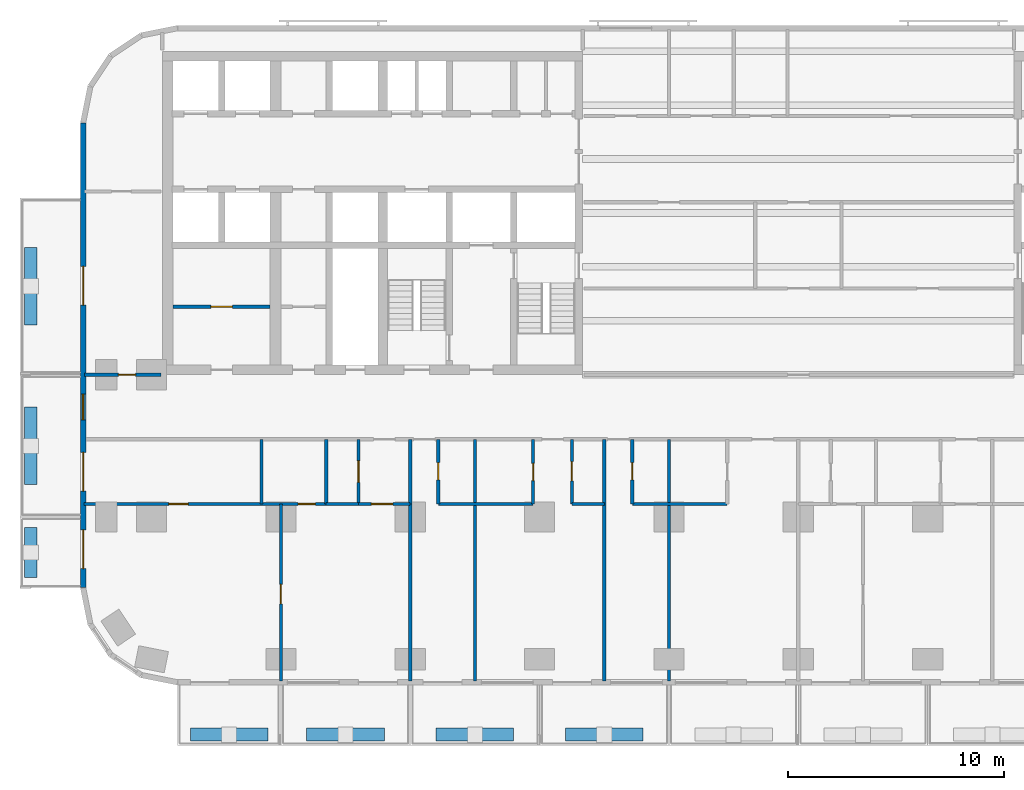
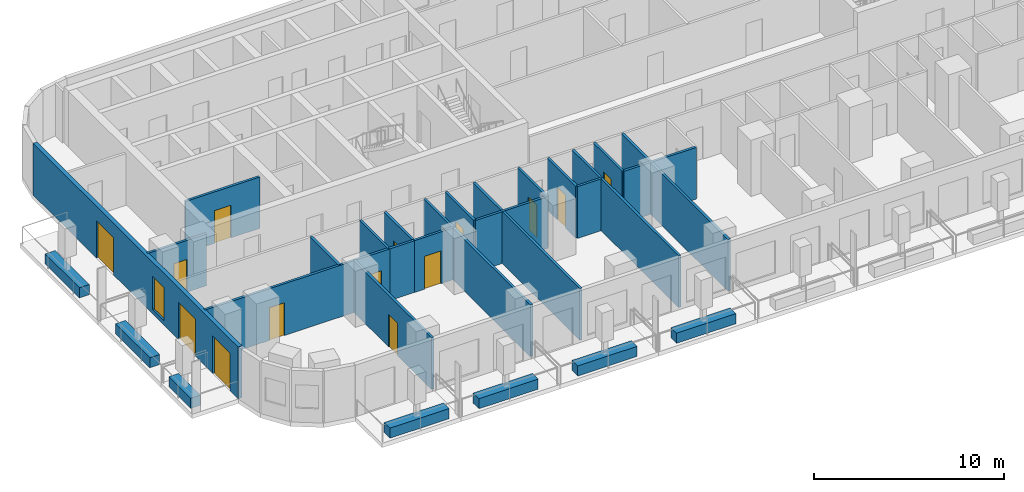
# One storey, part 2 of 15: 29 walls, 14 doors, 1 window, 15 openings.
"""IFC4 building model written with IfcOpenShell, lengths in metres."""

import ifcopenshell
import ifcopenshell.guid

model = None  # the IFC model being written
_history = None  # IfcOwnerHistory: only IFC2X3 demands one
_inside = {}  # id of a spatial element -> (the spatial element, [elements in it])
_under = {}  # id of a project, library or spatial element -> (it, [spatial elements below it])
_declared = {}  # id of a project -> (the project, [libraries it declares])
_typed = {}  # id of a type object -> (the type object, [elements of that type])
_made_of = {}  # id of a material, layer set ... -> (it, [elements and type objects made of it])


def new_model(schema):
    """Start an empty IFC model of exactly this schema.

    Asked for "IFC4X3", IfcOpenShell would pick the latest addendum, in which some entities
    have other attributes; the version numbers below select the first issue.
    IFC2X3 requires an IfcOwnerHistory on every rooted entity: one is made here for all.
    """
    global model, _history
    if schema == "IFC4X3":
        model = ifcopenshell.file(schema_version=(4, 3, 0, 0))
    else:
        model = ifcopenshell.file(schema=schema)
    _inside.clear()
    _under.clear()
    _declared.clear()
    _typed.clear()
    _made_of.clear()
    _history = None
    if model.schema == "IFC2X3":
        org = make("IfcOrganization", Name="unknown")
        user = make(
            "IfcPersonAndOrganization",
            ThePerson=make("IfcPerson", FamilyName="unknown"),
            TheOrganization=org,
        )
        app = make(
            "IfcApplication",
            ApplicationDeveloper=org,
            Version="unknown",
            ApplicationFullName="unknown",
            ApplicationIdentifier="unknown",
        )
        _history = make(
            "IfcOwnerHistory",
            OwningUser=user,
            OwningApplication=app,
            ChangeAction="ADDED",
            CreationDate=0,
        )
    return model


def make(cls, **values):
    """One entity of the class cls with the attributes given. An attribute that is None is left unset."""
    return model.create_entity(
        cls, **{name: value for name, value in values.items() if value is not None}
    )


def rooted(cls, **values):
    """An entity with a GlobalId (a new one), such as an element, a storey or a relation."""
    return make(cls, GlobalId=ifcopenshell.guid.new(), OwnerHistory=_history, **values)


def si_unit(unit_type, name, prefix=None):
    """IfcSIUnit, for example si_unit("LENGTHUNIT", "METRE", prefix="MILLI")."""
    return make("IfcSIUnit", UnitType=unit_type, Prefix=prefix, Name=name)


def assignment(units):
    """IfcUnitAssignment: the units of a project."""
    return None if units is None else make("IfcUnitAssignment", Units=units)


def point(xyz):
    """IfcCartesianPoint."""
    return None if xyz is None else make("IfcCartesianPoint", Coordinates=xyz)


def direction(xyz):
    """IfcDirection."""
    return None if xyz is None else make("IfcDirection", DirectionRatios=xyz)


def frame(location, z_axis=None, x_axis=None):
    """IfcAxis2Placement3D, a coordinate frame: its origin and axes. An axis left out is left unset."""
    return make(
        "IfcAxis2Placement3D",
        Location=point(location),
        Axis=direction(z_axis),
        RefDirection=direction(x_axis),
    )


def frame_2d(location, x_axis=None):
    """IfcAxis2Placement2D, a coordinate frame in the plane: its origin and x axis."""
    return make(
        "IfcAxis2Placement2D", Location=point(location), RefDirection=direction(x_axis)
    )


def origin():
    """The frame at (0, 0, 0) with its axes left unset."""
    return frame((0.0, 0.0, 0.0))


def place(relative_to, where):
    """IfcLocalPlacement: puts the frame where relative to a parent placement (None: the world)."""
    return make(
        "IfcLocalPlacement", PlacementRelTo=relative_to, RelativePlacement=where
    )


def context(
    kind, dimensions, precision=None, world=None, true_north=None, identifier=None
):
    """IfcGeometricRepresentationContext, for example the 3D "Model" context."""
    return make(
        "IfcGeometricRepresentationContext",
        ContextIdentifier=identifier,
        ContextType=kind,
        CoordinateSpaceDimension=dimensions,
        Precision=precision,
        WorldCoordinateSystem=world,
        TrueNorth=true_north,
    )


def subcontext(parent, identifier, kind, view, scale=None):
    """IfcGeometricRepresentationSubContext, for example "Body" below "Model"."""
    return make(
        "IfcGeometricRepresentationSubContext",
        ContextIdentifier=identifier,
        ContextType=kind,
        ParentContext=parent,
        TargetScale=scale,
        TargetView=view,
    )


def project(units=None, contexts=None):
    """IfcProject with its units and contexts."""
    return rooted(
        "IfcProject",
        Name="project",
        RepresentationContexts=contexts,
        UnitsInContext=assignment(units),
    )


def spatial(cls, under=None, at=None, **own):
    """A site, building, storey or space (cls), placed at a placement, below another one or the project."""
    s = rooted(cls, ObjectPlacement=at, **own)
    if under is not None:
        _under.setdefault(under.id(), (under, []))[1].append(s)
    return s


def profile(cls, at=None, kind="AREA", **sizes):
    """A parametric profile (cls). Its sizes go by their IFC names, for example OverallWidth=200.0."""
    return make(cls, ProfileType=kind, Position=at, **sizes)


def rectangle(**sizes):
    """IfcRectangleProfileDef."""
    return profile("IfcRectangleProfileDef", **sizes)


def extrude(swept, where, along, depth):
    """IfcExtrudedAreaSolid: the profile swept, set in the frame where, extruded along a direction by depth."""
    return make(
        "IfcExtrudedAreaSolid",
        SweptArea=swept,
        Position=where,
        ExtrudedDirection=direction(along),
        Depth=depth,
    )


def shape(context_of_items, identifier, shape_type, items):
    """IfcShapeRepresentation: the items that make up one representation, for example the "Body"."""
    return make(
        "IfcShapeRepresentation",
        ContextOfItems=context_of_items,
        RepresentationIdentifier=identifier,
        RepresentationType=shape_type,
        Items=items,
    )


def material(Name=None, Category=None):
    """IfcMaterial."""
    return make("IfcMaterial", Name=Name, Category=Category)


def layer(
    of_material, thickness, ventilated=None, Name=None, Category=None, Priority=None
):
    """IfcMaterialLayer: one layer of a wall or slab, of a material (None: an air gap)."""
    return make(
        "IfcMaterialLayer",
        Material=of_material,
        LayerThickness=thickness,
        IsVentilated=ventilated,
        Name=Name,
        Category=Category,
        Priority=Priority,
    )


def layer_set(layers, Name=None):
    """IfcMaterialLayerSet."""
    return make("IfcMaterialLayerSet", MaterialLayers=layers, LayerSetName=Name)


def made_of(thing, what):
    """Note that an element or type object is made of a material, layer set ...; save() writes the relation."""
    if what is not None:
        _made_of.setdefault(what.id(), (what, []))[1].append(thing)
    return thing


def type_object(cls, material=None, **own):
    """A type object (cls), such as IfcWallType, which elements share."""
    return made_of(rooted(cls, **own), material)


def element(
    cls,
    number,
    at=None,
    inside=None,
    cuts=None,
    type_object=None,
    material=None,
    context=None,
    identifier="Body",
    shape_type=None,
    held_by="IfcProductDefinitionShape",
    body=None,
    shapes=None,
    **own,
):
    """One element of the class cls, such as IfcWall. Its Tag is "e" and its number.

    at: its placement. inside: the storey or other place that contains it. cuts: it is an
    opening in that element (IfcRelVoidsElement). A single representation is given by context,
    identifier, shape_type and body (its items); several are given by shapes. held_by: the class
    of the entity that holds the representations. save() writes the other relations.
    """
    e = rooted(cls, Tag="e%d" % number, ObjectPlacement=at, **own)
    if body is not None:
        shapes = [shape(context, identifier, shape_type, body)]
    if shapes is not None:
        e.Representation = make(held_by, Representations=shapes)
    if inside is not None:
        _inside.setdefault(inside.id(), (inside, []))[1].append(e)
    if cuts is not None:
        rooted(
            "IfcRelVoidsElement", RelatingBuildingElement=cuts, RelatedOpeningElement=e
        )
    if type_object is not None:
        _typed.setdefault(type_object.id(), (type_object, []))[1].append(e)
    return made_of(e, material)


def fill(opening, filler):
    """IfcRelFillsElement: the door or window that sits in an opening."""
    return rooted(
        "IfcRelFillsElement",
        RelatingOpeningElement=opening,
        RelatedBuildingElement=filler,
    )


def aggregate(whole, parts):
    """IfcRelAggregates: a whole, such as a stair, and the parts it consists of."""
    return rooted("IfcRelAggregates", RelatingObject=whole, RelatedObjects=parts)


def save(model, path):
    """Write the relations noted so far, then the file.

    IfcRelAggregates (storeys below a building ...), IfcRelContainedInSpatialStructure (elements
    in a storey), IfcRelDefinesByType, IfcRelAssociatesMaterial and IfcRelDeclares: one each for
    every whole, place, type object, material and project.
    """
    for whole, parts in _under.values():
        aggregate(whole, parts)
    for where, things in _inside.values():
        rooted(
            "IfcRelContainedInSpatialStructure",
            RelatedElements=things,
            RelatingStructure=where,
        )
    for kind, things in _typed.values():
        rooted("IfcRelDefinesByType", RelatedObjects=things, RelatingType=kind)
    for what, things in _made_of.values():
        rooted("IfcRelAssociatesMaterial", RelatedObjects=things, RelatingMaterial=what)
    for by, libraries in _declared.values():
        rooted("IfcRelDeclares", RelatingContext=by, RelatedDefinitions=libraries)
    model.write(path)


model = new_model("IFC4")

# Units and contexts
model_context = context("Model", 3, precision=1e-05, world=origin(), true_north=direction((0.0, 1.0)))
body_context = subcontext(model_context, "Body", "Model", "MODEL_VIEW")
ifc_project = project(units=[si_unit("LENGTHUNIT", "METRE"), si_unit("AREAUNIT", "SQUARE_METRE"), si_unit("VOLUMEUNIT", "CUBIC_METRE"), si_unit("PLANEANGLEUNIT", "RADIAN"), si_unit("MASSUNIT", "GRAM", prefix="KILO")], contexts=[model_context])

# Site, building, storey
site_placement = place(None, origin())
site = spatial("IfcSite", under=ifc_project, at=site_placement, CompositionType="ELEMENT")
building_placement = place(site_placement, origin())
building = spatial("IfcBuilding", under=site, at=building_placement, Name="Torana Hotel and Residences", CompositionType="ELEMENT")
storey_placement = place(building_placement, frame((0.0, 0.0, 70.800048828125)))
storey = spatial("IfcBuildingStorey", under=building, at=storey_placement, Name="L17", CompositionType="ELEMENT", Elevation=70.800048828125)

# Wall, openings, doors, window
ifc_material_1 = material(Name="Black aluminium composite panel", Category="aluminium")
ifc_layer_1 = layer(ifc_material_1, 0.00390625, Name="Cladding", Category="cladding")
ifc_material_2 = material(Name="Ventilated air cavity")
ifc_layer_2 = layer(ifc_material_2, 0.0400390625, Name="Ventilated cavity", Category="cavity")
ifc_material_3 = material(Name="Mineral wool insulation")
ifc_layer_3 = layer(ifc_material_3, 0.090087890625, Name="Insulation", Category="insulation")
ifc_material_4 = material(Name="Steel S280GD", Category="steel")
ifc_layer_4 = layer(ifc_material_4, 0.092041015625, Name="Steel stud frame", Category="structure")
ifc_material_5 = material(Name="Fire rated plasterboard")
ifc_layer_5 = layer(ifc_material_5, 0.011962890625, Name="Inner board", Category="finish")
ifc_layer_6 = layer(ifc_material_5, 0.011962890625, Name="Second board", Category="finish")
ifc_layer_set_1 = layer_set([ifc_layer_1, ifc_layer_2, ifc_layer_3, ifc_layer_4, ifc_layer_5, ifc_layer_6], Name="EW1 EXTERNAL WALL BLACK METAL CLAD 250")
wall_type_1 = type_object("IfcWallType", Name="EW1 EXTERNAL WALL BLACK METAL CLAD 250", PredefinedType="SOLIDWALL", material=ifc_layer_set_1)
wall_1_placement = place(storey_placement, frame((-33.175048828125, -3.32470703125, 0.0), z_axis=(0.0, 0.0, 1.0), x_axis=(0.0, -1.0, 0.0)))
wall_1 = element("IfcWall", 1, at=wall_1_placement, inside=storey, type_object=wall_type_1, Name="External wall L17 e0.9", PredefinedType="SOLIDWALL", context=body_context, shape_type="SweptSolid", body=[
    extrude(rectangle(XDim=21.55078125, YDim=0.25, at=frame_2d((10.775390625, 0.0))), origin(), (0.0, 0.0, 1.0), 3.320068359375),
])
opening_1_placement = place(wall_1_placement, frame((6.650390625, 0.0, 0.0)))
opening_1 = element("IfcOpeningElement", 2, at=opening_1_placement, cuts=wall_1, Name="Opening L17-E14", PredefinedType="OPENING", context=body_context, shape_type="SweptSolid", body=[
    extrude(rectangle(XDim=1.800048828125, YDim=2.39990234375, at=frame_2d((0.89990234375, 1.199951171875))), frame((0.0, 0.135009765625, 0.0), z_axis=(0.0, -1.0, 0.0), x_axis=(1.0, 0.0, 0.0)), (0.0, 0.0, 1.0), 0.27001953125),
])
opening_2_placement = place(wall_1_placement, frame((12.575439453125, 0.0, 0.300048828125)))
opening_2 = element("IfcOpeningElement", 3, at=opening_2_placement, cuts=wall_1, Name="Opening W7", PredefinedType="OPENING", context=body_context, shape_type="SweptSolid", body=[
    extrude(rectangle(XDim=1.199951171875, YDim=2.10009765625, at=frame_2d((0.60009765625, 1.050048828125))), frame((0.0, 0.135009765625, 0.0), z_axis=(0.0, -1.0, 0.0), x_axis=(1.0, 0.0, 0.0)), (0.0, 0.0, 1.0), 0.27001953125),
])
opening_3_placement = place(wall_1_placement, frame((15.275390625, 0.0, 0.0)))
opening_3 = element("IfcOpeningElement", 4, at=opening_3_placement, cuts=wall_1, Name="Opening L17-E15", PredefinedType="OPENING", context=body_context, shape_type="SweptSolid", body=[
    extrude(rectangle(XDim=1.800048828125, YDim=2.39990234375, at=frame_2d((0.89990234375, 1.199951171875))), frame((0.0, 0.135009765625, 0.0), z_axis=(0.0, -1.0, 0.0), x_axis=(1.0, 0.0, 0.0)), (0.0, 0.0, 1.0), 0.27001953125),
])
opening_4_placement = place(wall_1_placement, frame((18.87548828125, 0.0, 0.0)))
opening_4 = element("IfcOpeningElement", 5, at=opening_4_placement, cuts=wall_1, Name="Opening L17-E16", PredefinedType="OPENING", context=body_context, shape_type="SweptSolid", body=[
    extrude(rectangle(XDim=1.800048828125, YDim=2.39990234375, at=frame_2d((0.89990234375, 1.199951171875))), frame((0.0, 0.135009765625, 0.0), z_axis=(0.0, -1.0, 0.0), x_axis=(1.0, 0.0, 0.0)), (0.0, 0.0, 1.0), 0.27001953125),
])
ifc_material_6 = material(Name="Dark glass in black aluminium frame", Category="aluminium")
door_type_1 = type_object("IfcDoorType", Name="DB1 BALCONY DOOR 1800x2400", OperationType="DOUBLE_DOOR_SINGLE_SWING", PredefinedType="DOOR", material=ifc_material_6)
door_1_placement = place(opening_1_placement, origin())
door_1 = element("IfcDoor", 6, at=door_1_placement, inside=storey, type_object=door_type_1, Name="Balcony door L17", OperationType="DOUBLE_DOOR_SINGLE_SWING", OverallHeight=2.39990234375, OverallWidth=1.800048828125, PredefinedType="DOOR", context=body_context, shape_type="SweptSolid", body=[
    extrude(rectangle(XDim=1.800048828125, YDim=2.39990234375, at=frame_2d((0.89990234375, 1.199951171875))), frame((0.0, 0.02490234375, 0.0), z_axis=(0.0, -1.0, 0.0), x_axis=(1.0, 0.0, 0.0)), (0.0, 0.0, 1.0), 0.050048828125),
])
fill(opening_1, door_1)
door_2_placement = place(opening_3_placement, origin())
door_2 = element("IfcDoor", 7, at=door_2_placement, inside=storey, type_object=door_type_1, Name="Balcony door L17", OperationType="DOUBLE_DOOR_SINGLE_SWING", OverallHeight=2.39990234375, OverallWidth=1.800048828125, PredefinedType="DOOR", context=body_context, shape_type="SweptSolid", body=[
    extrude(rectangle(XDim=1.800048828125, YDim=2.39990234375, at=frame_2d((0.89990234375, 1.199951171875))), frame((0.0, 0.02490234375, 0.0), z_axis=(0.0, -1.0, 0.0), x_axis=(1.0, 0.0, 0.0)), (0.0, 0.0, 1.0), 0.050048828125),
])
fill(opening_3, door_2)
door_3_placement = place(opening_4_placement, frame((0.89990234375, 0.0, 0.0), z_axis=(0.0, 0.0, 1.0), x_axis=(-1.0, 0.0, 0.0)))
door_3 = element("IfcDoor", 8, at=door_3_placement, inside=storey, type_object=door_type_1, Name="Balcony door L17", OperationType="DOUBLE_DOOR_SINGLE_SWING", OverallHeight=2.39990234375, OverallWidth=1.800048828125, PredefinedType="DOOR", context=body_context, shape_type="SweptSolid", body=[
    extrude(rectangle(XDim=1.800048828125, YDim=2.39990234375, at=frame_2d((0.0, 1.199951171875))), frame((0.0, -0.02490234375, 0.0), z_axis=(0.0, 1.0, 0.0), x_axis=(-1.0, 0.0, 0.0)), (0.0, 0.0, 1.0), 0.050048828125),
])
fill(opening_4, door_3)
ifc_material_7 = material(Name="Dark glass in black aluminium frame", Category="aluminium")
window_type = type_object("IfcWindowType", Name="W7 HOTEL CORRIDOR WINDOW 1200x2100", PartitioningType="SINGLE_PANEL", PredefinedType="WINDOW", material=ifc_material_7)
window_placement = place(opening_2_placement, origin())
window = element("IfcWindow", 9, at=window_placement, inside=storey, type_object=window_type, Name="Window L17", OverallHeight=2.10009765625, OverallWidth=1.199951171875, PartitioningType="SINGLE_PANEL", PredefinedType="WINDOW", context=body_context, shape_type="SweptSolid", body=[
    extrude(rectangle(XDim=1.199951171875, YDim=2.10009765625, at=frame_2d((0.60009765625, 1.050048828125))), frame((0.0, 0.030029296875, 0.0), z_axis=(0.0, -1.0, 0.0), x_axis=(1.0, 0.0, 0.0)), (0.0, 0.0, 1.0), 0.06005859375),
])
fill(opening_2, window)

# Wall, opening, door
ifc_material_8 = material(Name="Gypsum plaster")
ifc_layer_7 = layer(ifc_material_8, 0.014892578125, Name="Plaster", Category="finish")
ifc_material_9 = material(Name="Concrete blockwork", Category="masonry")
ifc_layer_8 = layer(ifc_material_9, 0.1201171875, Name="Blockwork", Category="structure")
ifc_layer_9 = layer(ifc_material_8, 0.014892578125, Name="Plaster", Category="finish")
ifc_layer_set_2 = layer_set([ifc_layer_7, ifc_layer_8, ifc_layer_9], Name="FIRE PARTITION 150 BLOCKWORK")
wall_type_2 = type_object("IfcWallType", Name="FIRE PARTITION 150 BLOCKWORK", PredefinedType="PARTITIONING", material=ifc_layer_set_2)
wall_2_placement = place(storey_placement, frame((-29.0, -11.85009765625, 0.0), z_axis=(0.0, 0.0, 1.0), x_axis=(1.0, 0.0, 0.0)))
wall_2 = element("IfcWall", 10, at=wall_2_placement, inside=storey, type_object=wall_type_2, Name="Core partition L17", PredefinedType="PARTITIONING", context=body_context, shape_type="SweptSolid", body=[
    extrude(rectangle(XDim=4.5, YDim=0.14990234375, at=frame_2d((2.25, 0.0))), origin(), (0.0, 0.0, 1.0), 3.300048828125),
])
opening_5_placement = place(wall_2_placement, frame((1.75, 0.0, 0.0)))
opening_5 = element("IfcOpeningElement", 11, at=opening_5_placement, cuts=wall_2, Name="Opening L17-36", PredefinedType="OPENING", context=body_context, shape_type="SweptSolid", body=[
    extrude(rectangle(XDim=1.0, YDim=2.10009765625, at=frame_2d((0.5, 1.050048828125))), frame((0.0, 0.0849609375, 0.0), z_axis=(0.0, -1.0, 0.0), x_axis=(1.0, 0.0, 0.0)), (0.0, 0.0, 1.0), 0.169921875),
])
ifc_material_10 = material(Name="Steel S235", Category="steel")
door_type_2 = type_object("IfcDoorType", Name="CORE ROOM FIRE DOOR D14 1000x2100", OperationType="SINGLE_SWING_LEFT", PredefinedType="DOOR", material=ifc_material_10)
door_4_placement = place(opening_5_placement, origin())
door_4 = element("IfcDoor", 12, at=door_4_placement, inside=storey, type_object=door_type_2, Name="Plant room door L17", OperationType="SINGLE_SWING_RIGHT", OverallHeight=2.10009765625, OverallWidth=1.0, PredefinedType="DOOR", context=body_context, shape_type="SweptSolid", body=[
    extrude(rectangle(XDim=1.0, YDim=2.10009765625, at=frame_2d((0.5, 1.050048828125))), frame((0.0, 0.02490234375, 0.0), z_axis=(0.0, -1.0, 0.0), x_axis=(1.0, 0.0, 0.0)), (0.0, 0.0, 1.0), 0.050048828125),
])
fill(opening_5, door_4)

# Wall
wall_3_placement = place(storey_placement, frame((-18.0, -21.0, 0.0), z_axis=(0.0, 0.0, 1.0), x_axis=(0.0, 1.0, 0.0)))
element("IfcWall", 13, at=wall_3_placement, inside=storey, type_object=wall_type_2, Name="Partition L17", PredefinedType="PARTITIONING", context=body_context, shape_type="SweptSolid", body=[
    extrude(rectangle(XDim=3.0, YDim=0.14990234375, at=frame_2d((1.5, 0.0))), origin(), (0.0, 0.0, 1.0), 3.320068359375),
])

# Wall, opening, door
wall_4_placement = place(storey_placement, frame((-20.39990234375, -21.0, 0.0), z_axis=(0.0, 0.0, 1.0), x_axis=(0.0, 1.0, 0.0)))
wall_4 = element("IfcWall", 14, at=wall_4_placement, inside=storey, type_object=wall_type_2, Name="Partition L17", PredefinedType="PARTITIONING", context=body_context, shape_type="SweptSolid", body=[
    extrude(rectangle(XDim=3.0, YDim=0.14990234375, at=frame_2d((1.5, 0.0))), origin(), (0.0, 0.0, 1.0), 3.320068359375),
])
opening_6_placement = place(wall_4_placement, frame((1.0, 0.0, 0.0)))
opening_6 = element("IfcOpeningElement", 15, at=opening_6_placement, cuts=wall_4, Name="Opening L17-76", PredefinedType="OPENING", context=body_context, shape_type="SweptSolid", body=[
    extrude(rectangle(XDim=1.0, YDim=2.10009765625, at=frame_2d((0.5, 1.050048828125))), frame((0.0, 0.0849609375, 0.0), z_axis=(0.0, -1.0, 0.0), x_axis=(1.0, 0.0, 0.0)), (0.0, 0.0, 1.0), 0.169921875),
])
ifc_material_11 = material(Name="Steel S235", Category="steel")
door_type_3 = type_object("IfcDoorType", Name="ENTRY FIRE DOOR D6 1000x2100", OperationType="SINGLE_SWING_LEFT", PredefinedType="DOOR", material=ifc_material_11)
door_5_placement = place(opening_6_placement, origin())
door_5 = element("IfcDoor", 16, at=door_5_placement, inside=storey, type_object=door_type_3, Name="Door L17", OperationType="SINGLE_SWING_RIGHT", OverallHeight=2.10009765625, OverallWidth=1.0, PredefinedType="DOOR", context=body_context, shape_type="SweptSolid", body=[
    extrude(rectangle(XDim=1.0, YDim=2.10009765625, at=frame_2d((0.5, 1.050048828125))), frame((0.0, 0.02490234375, 0.0), z_axis=(0.0, -1.0, 0.0), x_axis=(1.0, 0.0, 0.0)), (0.0, 0.0, 1.0), 0.050048828125),
])
fill(opening_6, door_5)

wall_5_placement = place(storey_placement, frame((-20.39990234375, -21.0, 0.0), z_axis=(0.0, 0.0, 1.0), x_axis=(1.0, 0.0, 0.0)))
wall_5 = element("IfcWall", 17, at=wall_5_placement, inside=storey, type_object=wall_type_2, Name="Partition L17", PredefinedType="PARTITIONING", context=body_context, shape_type="SweptSolid", body=[
    extrude(rectangle(XDim=2.39990234375, YDim=0.14990234375, at=frame_2d((1.199951171875, 0.0))), origin(), (0.0, 0.0, 1.0), 3.320068359375),
])
opening_7_placement = place(wall_5_placement, frame((0.60009765625, 0.0, 0.0)))
opening_7 = element("IfcOpeningElement", 18, at=opening_7_placement, cuts=wall_5, Name="Opening L17-77", PredefinedType="OPENING", context=body_context, shape_type="SweptSolid", body=[
    extrude(rectangle(XDim=1.0, YDim=2.10009765625, at=frame_2d((0.5, 1.050048828125))), frame((0.0, 0.0849609375, 0.0), z_axis=(0.0, -1.0, 0.0), x_axis=(1.0, 0.0, 0.0)), (0.0, 0.0, 1.0), 0.169921875),
])
door_6_placement = place(opening_7_placement, frame((0.5, 0.0, 0.0), z_axis=(0.0, 0.0, 1.0), x_axis=(-1.0, 0.0, 0.0)))
door_6 = element("IfcDoor", 19, at=door_6_placement, inside=storey, type_object=door_type_3, Name="Door L17", OperationType="SINGLE_SWING_RIGHT", OverallHeight=2.10009765625, OverallWidth=1.0, PredefinedType="DOOR", context=body_context, shape_type="SweptSolid", body=[
    extrude(rectangle(XDim=1.0, YDim=2.10009765625, at=frame_2d((0.0, 1.050048828125))), frame((0.0, -0.02490234375, 0.0), z_axis=(0.0, 1.0, 0.0), x_axis=(-1.0, 0.0, 0.0)), (0.0, 0.0, 1.0), 0.050048828125),
])
fill(opening_7, door_6)

wall_6_placement = place(storey_placement, frame((-33.1201171875, -15.0, 0.0), z_axis=(0.0, 0.0, 1.0), x_axis=(1.0, 0.0, 0.0)))
wall_6 = element("IfcWall", 20, at=wall_6_placement, inside=storey, type_object=wall_type_2, Name="Partition L17", PredefinedType="PARTITIONING", context=body_context, shape_type="SweptSolid", body=[
    extrude(rectangle(XDim=3.570068359375, YDim=0.14990234375, at=frame_2d((1.78515625, 0.0))), origin(), (0.0, 0.0, 1.0), 3.320068359375),
])
opening_8_placement = place(wall_6_placement, frame((1.580078125, 0.0, 0.0)))
opening_8 = element("IfcOpeningElement", 21, at=opening_8_placement, cuts=wall_6, Name="Opening L17-51", PredefinedType="OPENING", context=body_context, shape_type="SweptSolid", body=[
    extrude(rectangle(XDim=0.800048828125, YDim=2.10009765625, at=frame_2d((0.39990234375, 1.050048828125))), frame((0.0, 0.0849609375, 0.0), z_axis=(0.0, -1.0, 0.0), x_axis=(1.0, 0.0, 0.0)), (0.0, 0.0, 1.0), 0.169921875),
])
ifc_material_12 = material(Name="Steel S235", Category="steel")
door_type_4 = type_object("IfcDoorType", Name="STORE FIRE DOOR D16 800x2100", OperationType="SINGLE_SWING_LEFT", PredefinedType="DOOR", material=ifc_material_12)
door_7_placement = place(opening_8_placement, origin())
door_7 = element("IfcDoor", 22, at=door_7_placement, inside=storey, type_object=door_type_4, Name="Door L17", OperationType="SINGLE_SWING_RIGHT", OverallHeight=2.10009765625, OverallWidth=0.800048828125, PredefinedType="DOOR", context=body_context, shape_type="SweptSolid", body=[
    extrude(rectangle(XDim=0.800048828125, YDim=2.10009765625, at=frame_2d((0.39990234375, 1.050048828125))), frame((0.0, 0.02490234375, 0.0), z_axis=(0.0, -1.0, 0.0), x_axis=(1.0, 0.0, 0.0)), (0.0, 0.0, 1.0), 0.050048828125),
])
fill(opening_8, door_7)

# Wall
ifc_material_13 = material(Name="Gypsum plasterboard")
ifc_layer_10 = layer(ifc_material_13, 0.012451171875, Name="Plasterboard", Category="finish")
ifc_layer_11 = layer(ifc_material_13, 0.012451171875, Name="Plasterboard", Category="finish")
ifc_layer_12 = layer(ifc_material_4, 0.10009765625, Name="Steel studs with mineral wool", Category="insulation")
ifc_layer_13 = layer(ifc_material_13, 0.012451171875, Name="Plasterboard", Category="finish")
ifc_layer_14 = layer(ifc_material_13, 0.012451171875, Name="Plasterboard", Category="finish")
ifc_layer_set_3 = layer_set([ifc_layer_10, ifc_layer_11, ifc_layer_12, ifc_layer_13, ifc_layer_14], Name="PARTITION 150 PLASTERBOARD")
wall_type_3 = type_object("IfcWallType", Name="PARTITION 150 PLASTERBOARD", PredefinedType="PARTITIONING", material=ifc_layer_set_3)
wall_7_placement = place(storey_placement, frame((-6.0, -29.219970703125, 0.0), z_axis=(0.0, 0.0, 1.0), x_axis=(0.0, 1.0, 0.0)))
element("IfcWall", 23, at=wall_7_placement, inside=storey, type_object=wall_type_3, Name="Partition L17", PredefinedType="PARTITIONING", context=body_context, shape_type="SweptSolid", body=[
    extrude(rectangle(XDim=11.219970703125, YDim=0.14990234375, at=frame_2d((5.60986328125, 0.0))), origin(), (0.0, 0.0, 1.0), 3.320068359375),
])

# Wall, opening, door
wall_8_placement = place(storey_placement, frame((-7.699951171875, -21.0, 0.0), z_axis=(0.0, 0.0, 1.0), x_axis=(0.0, 1.0, 0.0)))
wall_8 = element("IfcWall", 24, at=wall_8_placement, inside=storey, type_object=wall_type_3, Name="Partition L17", PredefinedType="PARTITIONING", context=body_context, shape_type="SweptSolid", body=[
    extrude(rectangle(XDim=3.0, YDim=0.14990234375, at=frame_2d((1.5, 0.0))), origin(), (0.0, 0.0, 1.0), 3.320068359375),
])
opening_9_placement = place(wall_8_placement, frame((1.1201171875, 0.0, 0.0)))
opening_9 = element("IfcOpeningElement", 25, at=opening_9_placement, cuts=wall_8, Name="Opening L17-64", PredefinedType="OPENING", context=body_context, shape_type="SweptSolid", body=[
    extrude(rectangle(XDim=0.800048828125, YDim=2.10009765625, at=frame_2d((0.39990234375, 1.050048828125))), frame((0.0, 0.0849609375, 0.0), z_axis=(0.0, -1.0, 0.0), x_axis=(1.0, 0.0, 0.0)), (0.0, 0.0, 1.0), 0.169921875),
])
ifc_material_14 = material(Name="Timber door, painted", Category="wood")
door_type_5 = type_object("IfcDoorType", Name="BATH DOOR D13 800x2100", OperationType="SINGLE_SWING_LEFT", PredefinedType="DOOR", material=ifc_material_14)
door_8_placement = place(opening_9_placement, origin())
door_8 = element("IfcDoor", 26, at=door_8_placement, inside=storey, type_object=door_type_5, Name="Door L17", OperationType="SINGLE_SWING_LEFT", OverallHeight=2.10009765625, OverallWidth=0.800048828125, PredefinedType="DOOR", context=body_context, shape_type="SweptSolid", body=[
    extrude(rectangle(XDim=0.800048828125, YDim=2.10009765625, at=frame_2d((0.39990234375, 1.050048828125))), frame((0.0, 0.02490234375, 0.0), z_axis=(0.0, -1.0, 0.0), x_axis=(1.0, 0.0, 0.0)), (0.0, 0.0, 1.0), 0.050048828125),
])
fill(opening_9, door_8)

# Wall
wall_9_placement = place(storey_placement, frame((-9.0, -29.219970703125, 0.0), z_axis=(0.0, 0.0, 1.0), x_axis=(0.0, 1.0, 0.0)))
element("IfcWall", 27, at=wall_9_placement, inside=storey, type_object=wall_type_3, Name="Partition L17", PredefinedType="PARTITIONING", context=body_context, shape_type="SweptSolid", body=[
    extrude(rectangle(XDim=11.219970703125, YDim=0.14990234375, at=frame_2d((5.60986328125, 0.0))), origin(), (0.0, 0.0, 1.0), 3.320068359375),
])

# Wall, opening, door
wall_10_placement = place(storey_placement, frame((-10.5, -21.0, 0.0), z_axis=(0.0, 0.0, 1.0), x_axis=(0.0, 1.0, 0.0)))
wall_10 = element("IfcWall", 28, at=wall_10_placement, inside=storey, type_object=wall_type_3, Name="Partition L17", PredefinedType="PARTITIONING", context=body_context, shape_type="SweptSolid", body=[
    extrude(rectangle(XDim=3.0, YDim=0.14990234375, at=frame_2d((1.5, 0.0))), origin(), (0.0, 0.0, 1.0), 3.320068359375),
])
opening_10_placement = place(wall_10_placement, frame((1.070068359375, 0.0, 0.0)))
opening_10 = element("IfcOpeningElement", 29, at=opening_10_placement, cuts=wall_10, Name="Opening L17-63", PredefinedType="OPENING", context=body_context, shape_type="SweptSolid", body=[
    extrude(rectangle(XDim=0.89990234375, YDim=2.10009765625, at=frame_2d((0.449951171875, 1.050048828125))), frame((0.0, 0.0849609375, 0.0), z_axis=(0.0, -1.0, 0.0), x_axis=(1.0, 0.0, 0.0)), (0.0, 0.0, 1.0), 0.169921875),
])
ifc_material_15 = material(Name="Timber door, oiled ash", Category="wood")
door_type_6 = type_object("IfcDoorType", Name="ROOM DOOR D7 900x2100", OperationType="SINGLE_SWING_LEFT", PredefinedType="DOOR", material=ifc_material_15)
door_9_placement = place(opening_10_placement, origin())
door_9 = element("IfcDoor", 30, at=door_9_placement, inside=storey, type_object=door_type_6, Name="Door L17", OperationType="SINGLE_SWING_LEFT", OverallHeight=2.10009765625, OverallWidth=0.89990234375, PredefinedType="DOOR", context=body_context, shape_type="SweptSolid", body=[
    extrude(rectangle(XDim=0.89990234375, YDim=2.10009765625, at=frame_2d((0.449951171875, 1.050048828125))), frame((0.0, 0.02490234375, 0.0), z_axis=(0.0, -1.0, 0.0), x_axis=(1.0, 0.0, 0.0)), (0.0, 0.0, 1.0), 0.050048828125),
])
fill(opening_10, door_9)

wall_11_placement = place(storey_placement, frame((-12.300048828125, -21.0, 0.0), z_axis=(0.0, 0.0, 1.0), x_axis=(0.0, 1.0, 0.0)))
wall_11 = element("IfcWall", 31, at=wall_11_placement, inside=storey, type_object=wall_type_3, Name="Partition L17", PredefinedType="PARTITIONING", context=body_context, shape_type="SweptSolid", body=[
    extrude(rectangle(XDim=3.0, YDim=0.14990234375, at=frame_2d((1.5, 0.0))), origin(), (0.0, 0.0, 1.0), 3.320068359375),
])
opening_11_placement = place(wall_11_placement, frame((1.080078125, 0.0, 0.0)))
opening_11 = element("IfcOpeningElement", 32, at=opening_11_placement, cuts=wall_11, Name="Opening L17-62", PredefinedType="OPENING", context=body_context, shape_type="SweptSolid", body=[
    extrude(rectangle(XDim=0.800048828125, YDim=2.10009765625, at=frame_2d((0.39990234375, 1.050048828125))), frame((0.0, 0.0849609375, 0.0), z_axis=(0.0, -1.0, 0.0), x_axis=(1.0, 0.0, 0.0)), (0.0, 0.0, 1.0), 0.169921875),
])
door_10_placement = place(opening_11_placement, origin())
door_10 = element("IfcDoor", 33, at=door_10_placement, inside=storey, type_object=door_type_5, Name="Door L17", OperationType="SINGLE_SWING_RIGHT", OverallHeight=2.10009765625, OverallWidth=0.800048828125, PredefinedType="DOOR", context=body_context, shape_type="SweptSolid", body=[
    extrude(rectangle(XDim=0.800048828125, YDim=2.10009765625, at=frame_2d((0.39990234375, 1.050048828125))), frame((0.0, 0.02490234375, 0.0), z_axis=(0.0, -1.0, 0.0), x_axis=(1.0, 0.0, 0.0)), (0.0, 0.0, 1.0), 0.050048828125),
])
fill(opening_11, door_10)

# Wall
wall_12_placement = place(storey_placement, frame((-15.0, -29.219970703125, 0.0), z_axis=(0.0, 0.0, 1.0), x_axis=(0.0, 1.0, 0.0)))
element("IfcWall", 34, at=wall_12_placement, inside=storey, type_object=wall_type_3, Name="Partition L17", PredefinedType="PARTITIONING", context=body_context, shape_type="SweptSolid", body=[
    extrude(rectangle(XDim=11.219970703125, YDim=0.14990234375, at=frame_2d((5.60986328125, 0.0))), origin(), (0.0, 0.0, 1.0), 3.320068359375),
])

# Wall, opening, door
wall_13_placement = place(storey_placement, frame((-16.699951171875, -21.0, 0.0), z_axis=(0.0, 0.0, 1.0), x_axis=(0.0, 1.0, 0.0)))
wall_13 = element("IfcWall", 35, at=wall_13_placement, inside=storey, type_object=wall_type_3, Name="Partition L17", PredefinedType="PARTITIONING", context=body_context, shape_type="SweptSolid", body=[
    extrude(rectangle(XDim=3.0, YDim=0.14990234375, at=frame_2d((1.5, 0.0))), origin(), (0.0, 0.0, 1.0), 3.320068359375),
])
opening_12_placement = place(wall_13_placement, frame((1.1201171875, 0.0, 0.0)))
opening_12 = element("IfcOpeningElement", 36, at=opening_12_placement, cuts=wall_13, Name="Opening L17-61", PredefinedType="OPENING", context=body_context, shape_type="SweptSolid", body=[
    extrude(rectangle(XDim=0.800048828125, YDim=2.10009765625, at=frame_2d((0.39990234375, 1.050048828125))), frame((0.0, 0.0849609375, 0.0), z_axis=(0.0, -1.0, 0.0), x_axis=(1.0, 0.0, 0.0)), (0.0, 0.0, 1.0), 0.169921875),
])
door_11_placement = place(opening_12_placement, origin())
door_11 = element("IfcDoor", 37, at=door_11_placement, inside=storey, type_object=door_type_5, Name="Door L17", OperationType="SINGLE_SWING_RIGHT", OverallHeight=2.10009765625, OverallWidth=0.800048828125, PredefinedType="DOOR", context=body_context, shape_type="SweptSolid", body=[
    extrude(rectangle(XDim=0.800048828125, YDim=2.10009765625, at=frame_2d((0.39990234375, 1.050048828125))), frame((0.0, 0.02490234375, 0.0), z_axis=(0.0, -1.0, 0.0), x_axis=(1.0, 0.0, 0.0)), (0.0, 0.0, 1.0), 0.050048828125),
])
fill(opening_12, door_11)

# Wall
wall_14_placement = place(storey_placement, frame((-18.0, -29.219970703125, 0.0), z_axis=(0.0, 0.0, 1.0), x_axis=(0.0, 1.0, 0.0)))
element("IfcWall", 38, at=wall_14_placement, inside=storey, type_object=wall_type_3, Name="Partition L17", PredefinedType="PARTITIONING", context=body_context, shape_type="SweptSolid", body=[
    extrude(rectangle(XDim=8.219970703125, YDim=0.14990234375, at=frame_2d((4.10986328125, 0.0))), origin(), (0.0, 0.0, 1.0), 3.320068359375),
])

# Wall, opening, door
wall_15_placement = place(storey_placement, frame((-24.0, -29.219970703125, 0.0), z_axis=(0.0, 0.0, 1.0), x_axis=(0.0, 1.0, 0.0)))
wall_15 = element("IfcWall", 39, at=wall_15_placement, inside=storey, type_object=wall_type_3, Name="Partition L17", PredefinedType="PARTITIONING", context=body_context, shape_type="SweptSolid", body=[
    extrude(rectangle(XDim=8.219970703125, YDim=0.14990234375, at=frame_2d((4.10986328125, 0.0))), origin(), (0.0, 0.0, 1.0), 3.320068359375),
])
opening_13_placement = place(wall_15_placement, frame((3.590087890625, 0.0, 0.0)))
opening_13 = element("IfcOpeningElement", 40, at=opening_13_placement, cuts=wall_15, Name="Opening L17-80", PredefinedType="OPENING", context=body_context, shape_type="SweptSolid", body=[
    extrude(rectangle(XDim=0.89990234375, YDim=2.10009765625, at=frame_2d((0.449951171875, 1.050048828125))), frame((0.0, 0.0849609375, 0.0), z_axis=(0.0, -1.0, 0.0), x_axis=(1.0, 0.0, 0.0)), (0.0, 0.0, 1.0), 0.169921875),
])
door_12_placement = place(opening_13_placement, origin())
door_12 = element("IfcDoor", 41, at=door_12_placement, inside=storey, type_object=door_type_6, Name="Door L17", OperationType="SINGLE_SWING_RIGHT", OverallHeight=2.10009765625, OverallWidth=0.89990234375, PredefinedType="DOOR", context=body_context, shape_type="SweptSolid", body=[
    extrude(rectangle(XDim=0.89990234375, YDim=2.10009765625, at=frame_2d((0.449951171875, 1.050048828125))), frame((0.0, 0.02490234375, 0.0), z_axis=(0.0, -1.0, 0.0), x_axis=(1.0, 0.0, 0.0)), (0.0, 0.0, 1.0), 0.050048828125),
])
fill(opening_13, door_12)

# Wall
wall_16_placement = place(storey_placement, frame((-24.89990234375, -21.0, 0.0), z_axis=(0.0, 0.0, 1.0), x_axis=(0.0, 1.0, 0.0)))
element("IfcWall", 42, at=wall_16_placement, inside=storey, type_object=wall_type_3, Name="Partition L17", PredefinedType="PARTITIONING", context=body_context, shape_type="SweptSolid", body=[
    extrude(rectangle(XDim=3.0, YDim=0.14990234375, at=frame_2d((1.5, 0.0))), origin(), (0.0, 0.0, 1.0), 3.320068359375),
])

# Wall, openings, doors
wall_17_placement = place(storey_placement, frame((-33.1201171875, -21.0, 0.0), z_axis=(0.0, 0.0, 1.0), x_axis=(1.0, 0.0, 0.0)))
wall_17 = element("IfcWall", 43, at=wall_17_placement, inside=storey, type_object=wall_type_3, Name="Partition L17", PredefinedType="PARTITIONING", context=body_context, shape_type="SweptSolid", body=[
    extrude(rectangle(XDim=11.22021484375, YDim=0.14990234375, at=frame_2d((5.610107421875, 0.0))), origin(), (0.0, 0.0, 1.0), 3.320068359375),
])
opening_14_placement = place(wall_17_placement, frame((9.919921875, 0.0, 0.0)))
opening_14 = element("IfcOpeningElement", 44, at=opening_14_placement, cuts=wall_17, Name="Opening L17-78", PredefinedType="OPENING", context=body_context, shape_type="SweptSolid", body=[
    extrude(rectangle(XDim=0.800048828125, YDim=2.10009765625, at=frame_2d((0.39990234375, 1.050048828125))), frame((0.0, 0.0849609375, 0.0), z_axis=(0.0, -1.0, 0.0), x_axis=(1.0, 0.0, 0.0)), (0.0, 0.0, 1.0), 0.169921875),
])
opening_15_placement = place(wall_17_placement, frame((3.919921875, 0.0, 0.0)))
opening_15 = element("IfcOpeningElement", 45, at=opening_15_placement, cuts=wall_17, Name="Opening L17-79", PredefinedType="OPENING", context=body_context, shape_type="SweptSolid", body=[
    extrude(rectangle(XDim=0.89990234375, YDim=2.10009765625, at=frame_2d((0.449951171875, 1.050048828125))), frame((0.0, 0.0849609375, 0.0), z_axis=(0.0, -1.0, 0.0), x_axis=(1.0, 0.0, 0.0)), (0.0, 0.0, 1.0), 0.169921875),
])
door_13_placement = place(opening_14_placement, origin())
door_13 = element("IfcDoor", 46, at=door_13_placement, inside=storey, type_object=door_type_5, Name="Door L17", OperationType="SINGLE_SWING_LEFT", OverallHeight=2.10009765625, OverallWidth=0.800048828125, PredefinedType="DOOR", context=body_context, shape_type="SweptSolid", body=[
    extrude(rectangle(XDim=0.800048828125, YDim=2.10009765625, at=frame_2d((0.39990234375, 1.050048828125))), frame((0.0, 0.02490234375, 0.0), z_axis=(0.0, -1.0, 0.0), x_axis=(1.0, 0.0, 0.0)), (0.0, 0.0, 1.0), 0.050048828125),
])
fill(opening_14, door_13)
door_14_placement = place(opening_15_placement, origin())
door_14 = element("IfcDoor", 47, at=door_14_placement, inside=storey, type_object=door_type_6, Name="Door L17", OperationType="SINGLE_SWING_RIGHT", OverallHeight=2.10009765625, OverallWidth=0.89990234375, PredefinedType="DOOR", context=body_context, shape_type="SweptSolid", body=[
    extrude(rectangle(XDim=0.89990234375, YDim=2.10009765625, at=frame_2d((0.449951171875, 1.050048828125))), frame((0.0, 0.02490234375, 0.0), z_axis=(0.0, -1.0, 0.0), x_axis=(1.0, 0.0, 0.0)), (0.0, 0.0, 1.0), 0.050048828125),
])
fill(opening_15, door_14)

# Walls
wall_18_placement = place(storey_placement, frame((-16.699951171875, -21.0, 0.0), z_axis=(0.0, 0.0, 1.0), x_axis=(1.0, 0.0, 0.0)))
element("IfcWall", 48, at=wall_18_placement, inside=storey, type_object=wall_type_3, Name="Partition L17", PredefinedType="PARTITIONING", context=body_context, shape_type="SweptSolid", body=[
    extrude(rectangle(XDim=4.39990234375, YDim=0.14990234375, at=frame_2d((2.199951171875, 0.0))), origin(), (0.0, 0.0, 1.0), 3.320068359375),
])
wall_19_placement = place(storey_placement, frame((-10.5, -21.0, 0.0), z_axis=(0.0, 0.0, 1.0), x_axis=(1.0, 0.0, 0.0)))
element("IfcWall", 49, at=wall_19_placement, inside=storey, type_object=wall_type_3, Name="Partition L17", PredefinedType="PARTITIONING", context=body_context, shape_type="SweptSolid", body=[
    extrude(rectangle(XDim=1.5, YDim=0.14990234375, at=frame_2d((0.75, 0.0))), origin(), (0.0, 0.0, 1.0), 3.320068359375),
])
wall_20_placement = place(storey_placement, frame((-7.699951171875, -21.0, 0.0), z_axis=(0.0, 0.0, 1.0), x_axis=(1.0, 0.0, 0.0)))
element("IfcWall", 50, at=wall_20_placement, inside=storey, type_object=wall_type_3, Name="Partition L17", PredefinedType="PARTITIONING", context=body_context, shape_type="SweptSolid", body=[
    extrude(rectangle(XDim=4.39990234375, YDim=0.14990234375, at=frame_2d((2.199951171875, 0.0))), origin(), (0.0, 0.0, 1.0), 3.320068359375),
])
ifc_material_16 = material(Name="Concrete C40/50 precast", Category="concrete")
ifc_layer_15 = layer(ifc_material_16, 0.10009765625, Name="Planter shell", Category="structure")
ifc_material_17 = material(Name="Root resistant membrane")
ifc_layer_16 = layer(ifc_material_17, 0.00390625, Name="Waterproofing membrane", Category="membrane")
ifc_material_18 = material(Name="Drainage board with filter fleece")
ifc_layer_17 = layer(ifc_material_18, 0.02001953125, Name="Drainage board", Category="drainage")
ifc_material_19 = material(Name="Growing medium")
ifc_layer_18 = layer(ifc_material_19, 0.47607421875, Name="Planting substrate", Category="soil")
ifc_layer_set_4 = layer_set([ifc_layer_15, ifc_layer_16, ifc_layer_17, ifc_layer_18], Name="PL1 BALCONY PLANTER 600")
wall_type_4 = type_object("IfcWallType", Name="PL1 BALCONY PLANTER 600", PredefinedType="USERDEFINED", material=ifc_layer_set_4)
wall_21_placement = place(storey_placement, frame((-24.60009765625, -31.699951171875, 0.0), z_axis=(0.0, 0.0, 1.0), x_axis=(-1.0, 0.0, 0.0)))
element("IfcWall", 51, at=wall_21_placement, inside=storey, type_object=wall_type_4, Name="Planter 01", ObjectType="PLANTER", PredefinedType="USERDEFINED", context=body_context, shape_type="SweptSolid", body=[
    extrude(rectangle(XDim=3.599853515625, YDim=0.60009765625, at=frame_2d((1.7998046875, 0.0))), origin(), (0.0, 0.0, 1.0), 0.64990234375),
])
for number, where, z_axis, x_axis, name in (
    (52, (-19.199951171875, -31.699951171875, 0.0), (0.0, 0.0, 1.0), (-1.0, 0.0, 0.0), "Planter 02"),
    (53, (-13.199951171875, -31.699951171875, 0.0), (0.0, 0.0, 1.0), (-1.0, 0.0, 0.0), "Planter 03"),
    (54, (-7.199951171875, -31.699951171875, 0.0), (0.0, 0.0, 1.0), (-1.0, 0.0, 0.0), "Planter 04"),
):
    element("IfcWall", number, at=place(storey_placement, frame(where, z_axis=z_axis, x_axis=x_axis)), inside=storey, type_object=wall_type_4, Name=name, ObjectType="PLANTER", PredefinedType="USERDEFINED", context=body_context, shape_type="SweptSolid", body=[
        extrude(rectangle(XDim=3.60009765625, YDim=0.60009765625, at=frame_2d((1.800048828125, 0.0))), origin(), (0.0, 0.0, 1.0), 0.64990234375),
    ])
wall_22_placement = place(storey_placement, frame((-35.60009765625, -24.39990234375, 0.0), z_axis=(0.0, 0.0, 1.0), x_axis=(0.0, 1.0, 0.0)))
element("IfcWall", 55, at=wall_22_placement, inside=storey, type_object=wall_type_4, Name="Planter 11", ObjectType="PLANTER", PredefinedType="USERDEFINED", context=body_context, shape_type="SweptSolid", body=[
    extrude(rectangle(XDim=2.2998046875, YDim=0.60009765625, at=frame_2d((1.14990234375, 0.0))), origin(), (0.0, 0.0, 1.0), 0.64990234375),
])
wall_23_placement = place(storey_placement, frame((-35.60009765625, -20.10009765625, 0.0), z_axis=(0.0, 0.0, 1.0), x_axis=(0.0, 1.0, 0.0)))
element("IfcWall", 56, at=wall_23_placement, inside=storey, type_object=wall_type_4, Name="Planter 12", ObjectType="PLANTER", PredefinedType="USERDEFINED", context=body_context, shape_type="SweptSolid", body=[
    extrude(rectangle(XDim=3.60009765625, YDim=0.60009765625, at=frame_2d((1.800048828125, 0.0))), origin(), (0.0, 0.0, 1.0), 0.64990234375),
])
wall_24_placement = place(storey_placement, frame((-35.60009765625, -12.699951171875, 0.0), z_axis=(0.0, 0.0, 1.0), x_axis=(0.0, 1.0, 0.0)))
element("IfcWall", 57, at=wall_24_placement, inside=storey, type_object=wall_type_4, Name="Planter 13", ObjectType="PLANTER", PredefinedType="USERDEFINED", context=body_context, shape_type="SweptSolid", body=[
    extrude(rectangle(XDim=3.599853515625, YDim=0.60009765625, at=frame_2d((1.7998046875, 0.0))), origin(), (0.0, 0.0, 1.0), 0.64990234375),
])
ifc_material_20 = material(Name="Ceramic tile on adhesive")
ifc_layer_19 = layer(ifc_material_20, 0.010009765625, Name="Wall tile", Category="finish")
ifc_material_21 = material(Name="Cement render")
ifc_layer_20 = layer(ifc_material_21, 0.010009765625, Name="Render", Category="finish")
ifc_layer_21 = layer(ifc_material_9, 0.110107421875, Name="Blockwork", Category="structure")
ifc_layer_22 = layer(ifc_material_21, 0.010009765625, Name="Render", Category="finish")
ifc_layer_23 = layer(ifc_material_20, 0.010009765625, Name="Wall tile", Category="finish")
ifc_layer_set_5 = layer_set([ifc_layer_19, ifc_layer_20, ifc_layer_21, ifc_layer_22, ifc_layer_23], Name="WC PARTITION 150")
wall_type_5 = type_object("IfcWallType", Name="WC PARTITION 150", PredefinedType="PLUMBINGWALL", material=ifc_layer_set_5)
wall_25_placement = place(storey_placement, frame((-21.89990234375, -21.0, 0.0), z_axis=(0.0, 0.0, 1.0), x_axis=(0.0, 1.0, 0.0)))
element("IfcWall", 58, at=wall_25_placement, inside=storey, type_object=wall_type_5, Name="Partition L17", PredefinedType="PLUMBINGWALL", context=body_context, shape_type="SweptSolid", body=[
    extrude(rectangle(XDim=3.0, YDim=0.14990234375, at=frame_2d((1.5, 0.0))), origin(), (0.0, 0.0, 1.0), 3.320068359375),
])
wall_26_placement = place(storey_placement, frame((-21.89990234375, -21.0, 0.0), z_axis=(0.0, 0.0, 1.0), x_axis=(1.0, 0.0, 0.0)))
element("IfcWall", 59, at=wall_26_placement, inside=storey, type_object=wall_type_5, Name="Partition L17", PredefinedType="PLUMBINGWALL", context=body_context, shape_type="SweptSolid", body=[
    extrude(rectangle(XDim=1.5, YDim=0.14990234375, at=frame_2d((0.75, 0.0))), origin(), (0.0, 0.0, 1.0), 3.320068359375),
])

save(model, "model.ifc")
